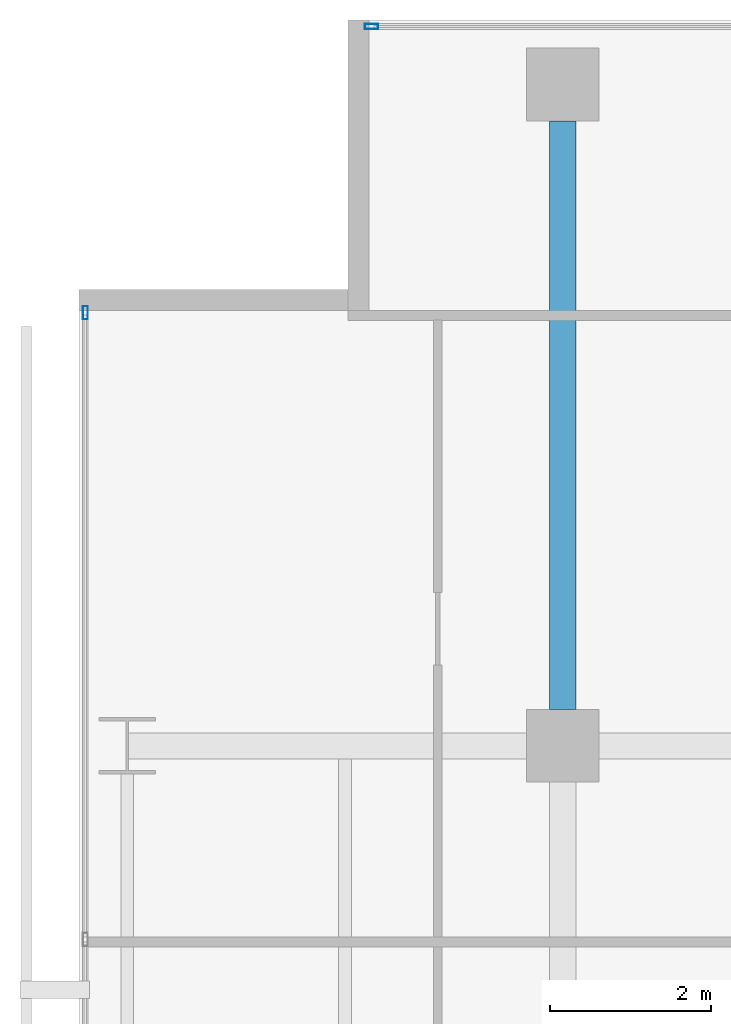
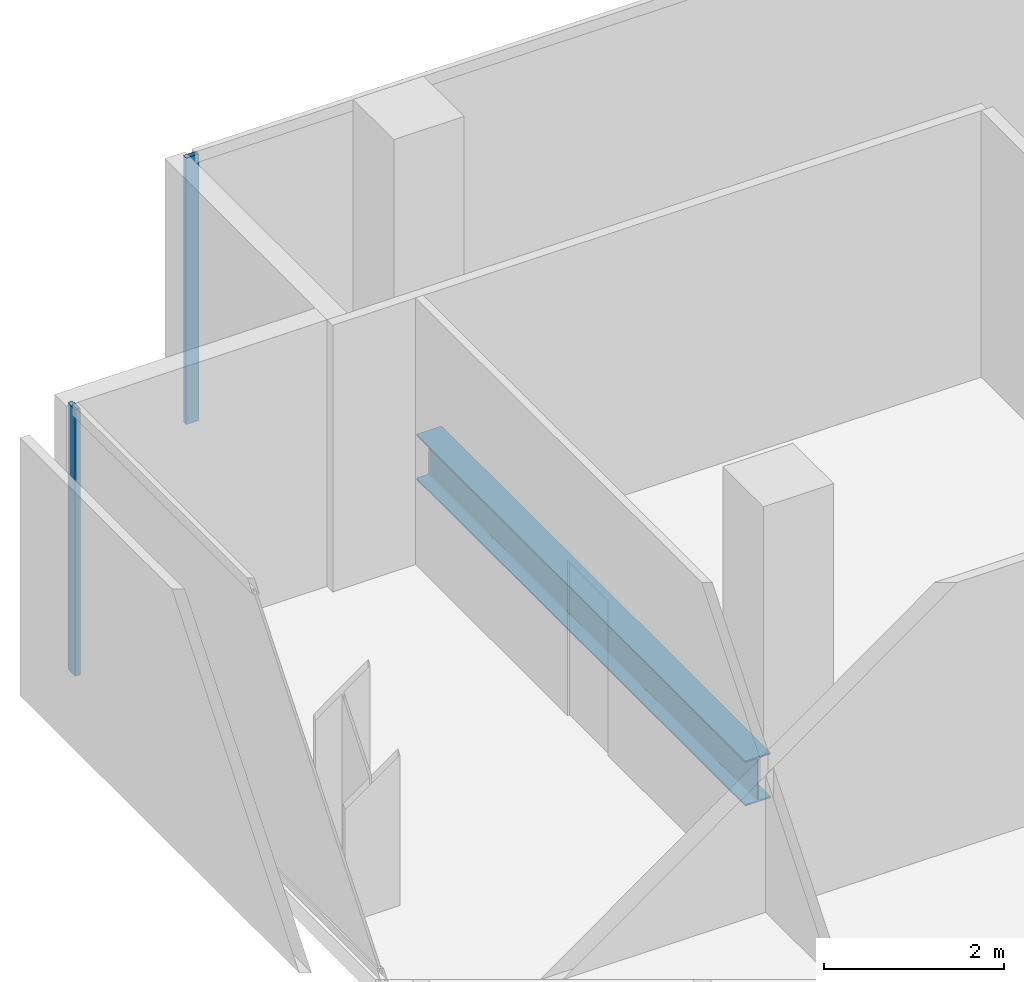
# One storey, part 25 of 40: 2 members, 1 beam, 2 elements without a shape of their own.
"""IFC4 building model written with IfcOpenShell, lengths in metres."""

from ifc_helpers import new_model, si_unit, direction, frame, origin, origin_2d, place, context, subcontext, project, spatial, hollow_rectangle, i_section, extrude, material, layer, layer_set, material_profile, profile_set, type_object, element, aggregate, save


model = new_model("IFC4")

# Units and contexts
model_context = context("Model", 3, precision=1e-05, world=origin(), true_north=direction((0.0, 1.0)))
body_context = subcontext(model_context, "Body", "Model", "MODEL_VIEW")
ifc_project = project(units=[si_unit("LENGTHUNIT", "METRE"), si_unit("AREAUNIT", "SQUARE_METRE"), si_unit("VOLUMEUNIT", "CUBIC_METRE"), si_unit("PLANEANGLEUNIT", "RADIAN"), si_unit("MASSUNIT", "GRAM", prefix="KILO")], contexts=[model_context])

# Site, building, storey
site_placement = place(None, origin())
site = spatial("IfcSite", under=ifc_project, at=site_placement, CompositionType="ELEMENT")
building_placement = place(site_placement, origin())
building = spatial("IfcBuilding", under=site, at=building_placement, Name="Maruvema Waterfront Hotel and Observation Tower", CompositionType="ELEMENT")
storey_placement = place(building_placement, frame((0.0, 0.0, 88.550048828125)))
storey = spatial("IfcBuildingStorey", under=building, at=storey_placement, Name="L21", CompositionType="ELEMENT", Elevation=88.550048828125)

# Curtain wall, member
ifc_material_1 = material(Name="Anodised bronze aluminium and solar-control low-E IGU", Category="aluminium")
ifc_layer = layer(ifc_material_1, 0.159912109375, Name="Zone 1 Bronze Inner Thermal Curtain Wall System CW-02")
ifc_layer_set = layer_set([ifc_layer], Name="Anodised bronze aluminium and solar-control low-E IGU")
curtain_wall_type = type_object("IfcCurtainWallType", Name="Zone 1 Bronze Inner Thermal Curtain Wall System CW-02", PredefinedType="USERDEFINED", material=ifc_layer_set)
curtain_wall_1_placement = place(storey_placement, origin())
curtain_wall_1 = element("IfcCurtainWall", 1, at=curtain_wall_1_placement, inside=storey, type_object=curtain_wall_type, Name="L21 Curtain Wall CW-L21-W", ObjectType="UNITISED CURTAIN WALL", PredefinedType="USERDEFINED")
ifc_material_2 = material(Name="Anodised architectural bronze aluminium", Category="aluminium")
ifc_material_profile_1 = material_profile(ifc_material_2, hollow_rectangle(XDim=0.06494140625, YDim=0.1650390625, WallThickness=0.00390625, at=origin_2d()), Name="ALU-M65x165")
ifc_profile_set_1 = profile_set([ifc_material_profile_1], Name="Anodised architectural bronze aluminium")
member_type = type_object("IfcMemberType", Name="Curtain Wall Primary Mullion ALU-M65x165", PredefinedType="MULLION", material=ifc_profile_set_1)
member_1_placement = place(storey_placement, frame((10.8798828125, 50.3701171875, 0.0), z_axis=(0.0, 0.0, 1.0), x_axis=(1.0, 0.0, 0.0)))
member_1 = element("IfcMember", 2, at=member_1_placement, type_object=member_type, Name="CW-02 mullion 1", PredefinedType="MULLION", context=body_context, shape_type="SweptSolid", body=[
    extrude(hollow_rectangle(XDim=0.06494140625, YDim=0.1650390625, WallThickness=0.00390625, at=origin_2d()), origin(), (0.0, 0.0, 1.0), 3.60986328125),
])
aggregate(curtain_wall_1, [member_1])

curtain_wall_2_placement = place(storey_placement, origin())
curtain_wall_2 = element("IfcCurtainWall", 3, at=curtain_wall_2_placement, inside=storey, type_object=curtain_wall_type, Name="L21 Curtain Wall CW-L21-NW", ObjectType="UNITISED CURTAIN WALL", PredefinedType="USERDEFINED")
member_2_placement = place(storey_placement, frame((14.429931640625, 53.919921875, 0.0), z_axis=(0.0, 0.0, 1.0), x_axis=(0.0, -1.0, 0.0)))
member_2 = element("IfcMember", 4, at=member_2_placement, type_object=member_type, Name="CW-02 mullion 2", PredefinedType="MULLION", context=body_context, shape_type="SweptSolid", body=[
    extrude(hollow_rectangle(XDim=0.06494140625, YDim=0.1650390625, WallThickness=0.00390625, at=origin_2d()), origin(), (0.0, 0.0, 1.0), 3.60986328125),
])
aggregate(curtain_wall_2, [member_2])

# Beam
ifc_material_3 = material(Name="Steel ASTM A572 Grade 50", Category="steel")
ifc_material_profile_2 = material_profile(ifc_material_3, i_section(OverallWidth=0.323974609375, OverallDepth=0.611083984375, WebThickness=0.0126953125, FlangeThickness=0.01904296875, FilletRadius=0.01806640625, at=origin_2d()), Name="W610x155.0")
ifc_profile_set_2 = profile_set([ifc_material_profile_2], Name="Steel ASTM A572 Grade 50")
beam_type = type_object("IfcBeamType", Name="Primary Floor Girder W610x155.0", PredefinedType="BEAM", material=ifc_profile_set_2)
beam_placement = place(storey_placement, frame((16.800048828125, 45.449951171875, -0.545654296875), z_axis=(0.0, 1.0, 0.0), x_axis=(-1.0, 0.0, 0.0)))
element("IfcBeam", 5, at=beam_placement, inside=storey, type_object=beam_type, Name="L21 Floor Girder NS-10", PredefinedType="BEAM", context=body_context, shape_type="SweptSolid", body=[
    extrude(i_section(OverallWidth=0.323974609375, OverallDepth=0.611083984375, WebThickness=0.0126953125, FlangeThickness=0.01904296875, FilletRadius=0.01806640625, at=origin_2d()), origin(), (0.0, 0.0, 1.0), 7.300048828125),
])

save(model, "model.ifc")
